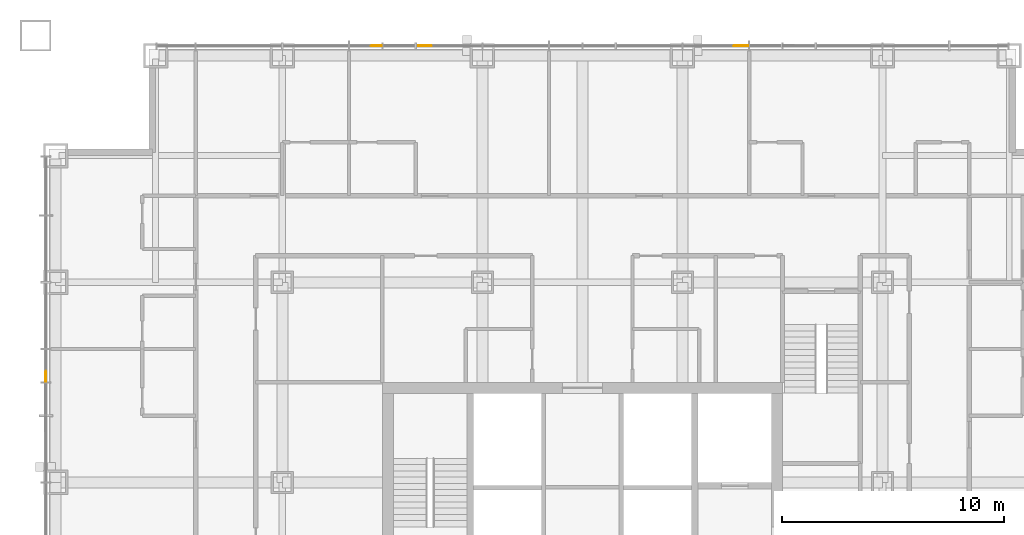
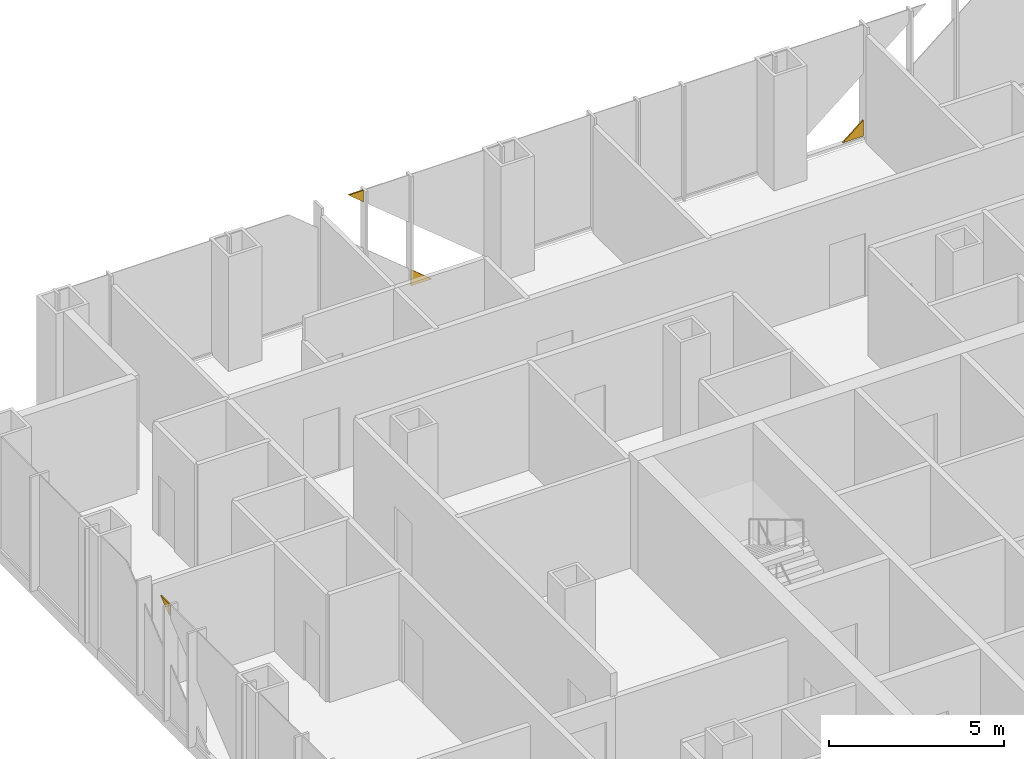
# One storey, part 17 of 18: 4 coverings.
"""IFC4 building model written with IfcOpenShell, lengths in metres."""

import ifcopenshell
import ifcopenshell.guid

model = None  # the IFC model being written
_history = None  # IfcOwnerHistory: only IFC2X3 demands one
_inside = {}  # id of a spatial element -> (the spatial element, [elements in it])
_under = {}  # id of a project, library or spatial element -> (it, [spatial elements below it])
_declared = {}  # id of a project -> (the project, [libraries it declares])
_typed = {}  # id of a type object -> (the type object, [elements of that type])
_made_of = {}  # id of a material, layer set ... -> (it, [elements and type objects made of it])


def new_model(schema):
    """Start an empty IFC model of exactly this schema.

    Asked for "IFC4X3", IfcOpenShell would pick the latest addendum, in which some entities
    have other attributes; the version numbers below select the first issue.
    IFC2X3 requires an IfcOwnerHistory on every rooted entity: one is made here for all.
    """
    global model, _history
    if schema == "IFC4X3":
        model = ifcopenshell.file(schema_version=(4, 3, 0, 0))
    else:
        model = ifcopenshell.file(schema=schema)
    _inside.clear()
    _under.clear()
    _declared.clear()
    _typed.clear()
    _made_of.clear()
    _history = None
    if model.schema == "IFC2X3":
        org = make("IfcOrganization", Name="unknown")
        user = make(
            "IfcPersonAndOrganization",
            ThePerson=make("IfcPerson", FamilyName="unknown"),
            TheOrganization=org,
        )
        app = make(
            "IfcApplication",
            ApplicationDeveloper=org,
            Version="unknown",
            ApplicationFullName="unknown",
            ApplicationIdentifier="unknown",
        )
        _history = make(
            "IfcOwnerHistory",
            OwningUser=user,
            OwningApplication=app,
            ChangeAction="ADDED",
            CreationDate=0,
        )
    return model


def make(cls, **values):
    """One entity of the class cls with the attributes given. An attribute that is None is left unset."""
    return model.create_entity(
        cls, **{name: value for name, value in values.items() if value is not None}
    )


def rooted(cls, **values):
    """An entity with a GlobalId (a new one), such as an element, a storey or a relation."""
    return make(cls, GlobalId=ifcopenshell.guid.new(), OwnerHistory=_history, **values)


def si_unit(unit_type, name, prefix=None):
    """IfcSIUnit, for example si_unit("LENGTHUNIT", "METRE", prefix="MILLI")."""
    return make("IfcSIUnit", UnitType=unit_type, Prefix=prefix, Name=name)


def assignment(units):
    """IfcUnitAssignment: the units of a project."""
    return None if units is None else make("IfcUnitAssignment", Units=units)


def point(xyz):
    """IfcCartesianPoint."""
    return None if xyz is None else make("IfcCartesianPoint", Coordinates=xyz)


def direction(xyz):
    """IfcDirection."""
    return None if xyz is None else make("IfcDirection", DirectionRatios=xyz)


def frame(location, z_axis=None, x_axis=None):
    """IfcAxis2Placement3D, a coordinate frame: its origin and axes. An axis left out is left unset."""
    return make(
        "IfcAxis2Placement3D",
        Location=point(location),
        Axis=direction(z_axis),
        RefDirection=direction(x_axis),
    )


def origin():
    """The frame at (0, 0, 0) with its axes left unset."""
    return frame((0.0, 0.0, 0.0))


def place(relative_to, where):
    """IfcLocalPlacement: puts the frame where relative to a parent placement (None: the world)."""
    return make(
        "IfcLocalPlacement", PlacementRelTo=relative_to, RelativePlacement=where
    )


def context(
    kind, dimensions, precision=None, world=None, true_north=None, identifier=None
):
    """IfcGeometricRepresentationContext, for example the 3D "Model" context."""
    return make(
        "IfcGeometricRepresentationContext",
        ContextIdentifier=identifier,
        ContextType=kind,
        CoordinateSpaceDimension=dimensions,
        Precision=precision,
        WorldCoordinateSystem=world,
        TrueNorth=true_north,
    )


def subcontext(parent, identifier, kind, view, scale=None):
    """IfcGeometricRepresentationSubContext, for example "Body" below "Model"."""
    return make(
        "IfcGeometricRepresentationSubContext",
        ContextIdentifier=identifier,
        ContextType=kind,
        ParentContext=parent,
        TargetScale=scale,
        TargetView=view,
    )


def project(units=None, contexts=None):
    """IfcProject with its units and contexts."""
    return rooted(
        "IfcProject",
        Name="project",
        RepresentationContexts=contexts,
        UnitsInContext=assignment(units),
    )


def spatial(cls, under=None, at=None, **own):
    """A site, building, storey or space (cls), placed at a placement, below another one or the project."""
    s = rooted(cls, ObjectPlacement=at, **own)
    if under is not None:
        _under.setdefault(under.id(), (under, []))[1].append(s)
    return s


def polyline(points):
    """IfcPolyline through the points."""
    return make("IfcPolyline", Points=[point(p) for p in points])


def outline(outer, holes=None, kind="AREA"):
    """IfcArbitraryClosedProfileDef: a profile drawn as a closed curve; with holes, ...WithVoids."""
    if holes is None:
        return make("IfcArbitraryClosedProfileDef", ProfileType=kind, OuterCurve=outer)
    return make(
        "IfcArbitraryProfileDefWithVoids",
        ProfileType=kind,
        OuterCurve=outer,
        InnerCurves=holes,
    )


def extrude(swept, where, along, depth):
    """IfcExtrudedAreaSolid: the profile swept, set in the frame where, extruded along a direction by depth."""
    return make(
        "IfcExtrudedAreaSolid",
        SweptArea=swept,
        Position=where,
        ExtrudedDirection=direction(along),
        Depth=depth,
    )


def shape(context_of_items, identifier, shape_type, items):
    """IfcShapeRepresentation: the items that make up one representation, for example the "Body"."""
    return make(
        "IfcShapeRepresentation",
        ContextOfItems=context_of_items,
        RepresentationIdentifier=identifier,
        RepresentationType=shape_type,
        Items=items,
    )


def material(Name=None, Category=None):
    """IfcMaterial."""
    return make("IfcMaterial", Name=Name, Category=Category)


def layer(
    of_material, thickness, ventilated=None, Name=None, Category=None, Priority=None
):
    """IfcMaterialLayer: one layer of a wall or slab, of a material (None: an air gap)."""
    return make(
        "IfcMaterialLayer",
        Material=of_material,
        LayerThickness=thickness,
        IsVentilated=ventilated,
        Name=Name,
        Category=Category,
        Priority=Priority,
    )


def layer_set(layers, Name=None):
    """IfcMaterialLayerSet."""
    return make("IfcMaterialLayerSet", MaterialLayers=layers, LayerSetName=Name)


def made_of(thing, what):
    """Note that an element or type object is made of a material, layer set ...; save() writes the relation."""
    if what is not None:
        _made_of.setdefault(what.id(), (what, []))[1].append(thing)
    return thing


def type_object(cls, material=None, **own):
    """A type object (cls), such as IfcWallType, which elements share."""
    return made_of(rooted(cls, **own), material)


def element(
    cls,
    number,
    at=None,
    inside=None,
    cuts=None,
    type_object=None,
    material=None,
    context=None,
    identifier="Body",
    shape_type=None,
    held_by="IfcProductDefinitionShape",
    body=None,
    shapes=None,
    **own,
):
    """One element of the class cls, such as IfcWall. Its Tag is "e" and its number.

    at: its placement. inside: the storey or other place that contains it. cuts: it is an
    opening in that element (IfcRelVoidsElement). A single representation is given by context,
    identifier, shape_type and body (its items); several are given by shapes. held_by: the class
    of the entity that holds the representations. save() writes the other relations.
    """
    e = rooted(cls, Tag="e%d" % number, ObjectPlacement=at, **own)
    if body is not None:
        shapes = [shape(context, identifier, shape_type, body)]
    if shapes is not None:
        e.Representation = make(held_by, Representations=shapes)
    if inside is not None:
        _inside.setdefault(inside.id(), (inside, []))[1].append(e)
    if cuts is not None:
        rooted(
            "IfcRelVoidsElement", RelatingBuildingElement=cuts, RelatedOpeningElement=e
        )
    if type_object is not None:
        _typed.setdefault(type_object.id(), (type_object, []))[1].append(e)
    return made_of(e, material)


def aggregate(whole, parts):
    """IfcRelAggregates: a whole, such as a stair, and the parts it consists of."""
    return rooted("IfcRelAggregates", RelatingObject=whole, RelatedObjects=parts)


def save(model, path):
    """Write the relations noted so far, then the file.

    IfcRelAggregates (storeys below a building ...), IfcRelContainedInSpatialStructure (elements
    in a storey), IfcRelDefinesByType, IfcRelAssociatesMaterial and IfcRelDeclares: one each for
    every whole, place, type object, material and project.
    """
    for whole, parts in _under.values():
        aggregate(whole, parts)
    for where, things in _inside.values():
        rooted(
            "IfcRelContainedInSpatialStructure",
            RelatedElements=things,
            RelatingStructure=where,
        )
    for kind, things in _typed.values():
        rooted("IfcRelDefinesByType", RelatedObjects=things, RelatingType=kind)
    for what, things in _made_of.values():
        rooted("IfcRelAssociatesMaterial", RelatedObjects=things, RelatingMaterial=what)
    for by, libraries in _declared.values():
        rooted("IfcRelDeclares", RelatingContext=by, RelatedDefinitions=libraries)
    model.write(path)


model = new_model("IFC4")

# Units and contexts
model_context = context("Model", 3, precision=1e-05, world=origin(), true_north=direction((0.0, 1.0)))
body_context = subcontext(model_context, "Body", "Model", "MODEL_VIEW")
ifc_project = project(units=[si_unit("LENGTHUNIT", "METRE"), si_unit("AREAUNIT", "SQUARE_METRE"), si_unit("VOLUMEUNIT", "CUBIC_METRE"), si_unit("PLANEANGLEUNIT", "RADIAN"), si_unit("MASSUNIT", "GRAM", prefix="KILO")], contexts=[model_context])

# Site, building, storey
site_placement = place(None, origin())
site = spatial("IfcSite", under=ifc_project, at=site_placement, CompositionType="ELEMENT")
building_placement = place(site_placement, origin())
building = spatial("IfcBuilding", under=site, at=building_placement, Name="Malebo Sky Hospital", CompositionType="ELEMENT")
storey_placement = place(building_placement, frame((0.0, 0.0, 124.0)))
storey = spatial("IfcBuildingStorey", under=building, at=storey_placement, Name="L29", CompositionType="ELEMENT", Elevation=124.0)

# Coverings
ifc_material = material(Name="Anodised aluminium, natural silver insulated infill panel", Category="aluminium")
ifc_layer = layer(ifc_material, 0.0400390625)
ifc_layer_set = layer_set([ifc_layer], Name="BRACE INFILL PANEL 40")
covering_type = type_object("IfcCoveringType", Name="BRACE INFILL PANEL 40", PredefinedType="CLADDING", material=ifc_layer_set)
covering_1_placement = place(storey_placement, frame((50.71630859375, 86.135009765625, 3.584228515625), z_axis=(0.0, 0.0, 1.0), x_axis=(1.0, 0.0, 0.0)))
element("IfcCovering", 1, at=covering_1_placement, inside=storey, type_object=covering_type, Name="Brace infill panel 4.1", PredefinedType="CLADDING", context=body_context, shape_type="SweptSolid", body=[
    extrude(outline(polyline([(0.24609375, 0.0), (0.24609375, 0.40576171875), (-0.24609375, 0.40576171875), (0.24609375, 0.0)])), frame((0.0, 0.02001953125, 0.0), z_axis=(0.0, -1.0, 0.0), x_axis=(1.0, 0.0, 0.0)), (0.0, 0.0, 1.0), 0.0400390625),
])
covering_2_placement = place(storey_placement, frame((52.880126953125, 86.135009765625, 0.10009765625), z_axis=(0.0, 0.0, 1.0), x_axis=(1.0, 0.0, 0.0)))
element("IfcCovering", 2, at=covering_2_placement, inside=storey, type_object=covering_type, Name="Brace infill panel 6.1", PredefinedType="CLADDING", context=body_context, shape_type="SweptSolid", body=[
    extrude(outline(polyline([(-0.3427734375, 0.0), (0.3427734375, 0.0), (-0.3427734375, 0.56494140625), (-0.3427734375, 0.0)])), frame((0.0, 0.02001953125, 0.0), z_axis=(0.0, -1.0, 0.0), x_axis=(1.0, 0.0, 0.0)), (0.0, 0.0, 1.0), 0.0400390625),
])
covering_3_placement = place(storey_placement, frame((67.119873046875, 86.135009765625, 0.10009765625), z_axis=(0.0, 0.0, 1.0), x_axis=(1.0, 0.0, 0.0)))
element("IfcCovering", 3, at=covering_3_placement, inside=storey, type_object=covering_type, Name="Brace infill panel 11.1", PredefinedType="CLADDING", context=body_context, shape_type="SweptSolid", body=[
    extrude(outline(polyline([(-0.3427734375, 0.0), (0.3427734375, 0.0), (0.3427734375, 0.56494140625), (-0.3427734375, 0.0)])), frame((0.0, 0.02001953125, 0.0), z_axis=(0.0, -1.0, 0.0), x_axis=(1.0, 0.0, 0.0)), (0.0, 0.0, 1.0), 0.0400390625),
])
covering_4_placement = place(storey_placement, frame((35.864990234375, 71.28369140625, 3.584228515625), z_axis=(0.0, 0.0, 1.0), x_axis=(0.0, 1.0, 0.0)))
element("IfcCovering", 4, at=covering_4_placement, inside=storey, type_object=covering_type, Name="Brace infill panel 13.1", PredefinedType="CLADDING", context=body_context, shape_type="SweptSolid", body=[
    extrude(outline(polyline([(-0.24609375, 0.0), (0.24609375, 0.40576171875), (-0.24609375, 0.40576171875), (-0.24609375, 0.0)])), frame((0.0, 0.02001953125, 0.0), z_axis=(0.0, -1.0, 0.0), x_axis=(1.0, 0.0, 0.0)), (0.0, 0.0, 1.0), 0.0400390625),
])

save(model, "model.ifc")
